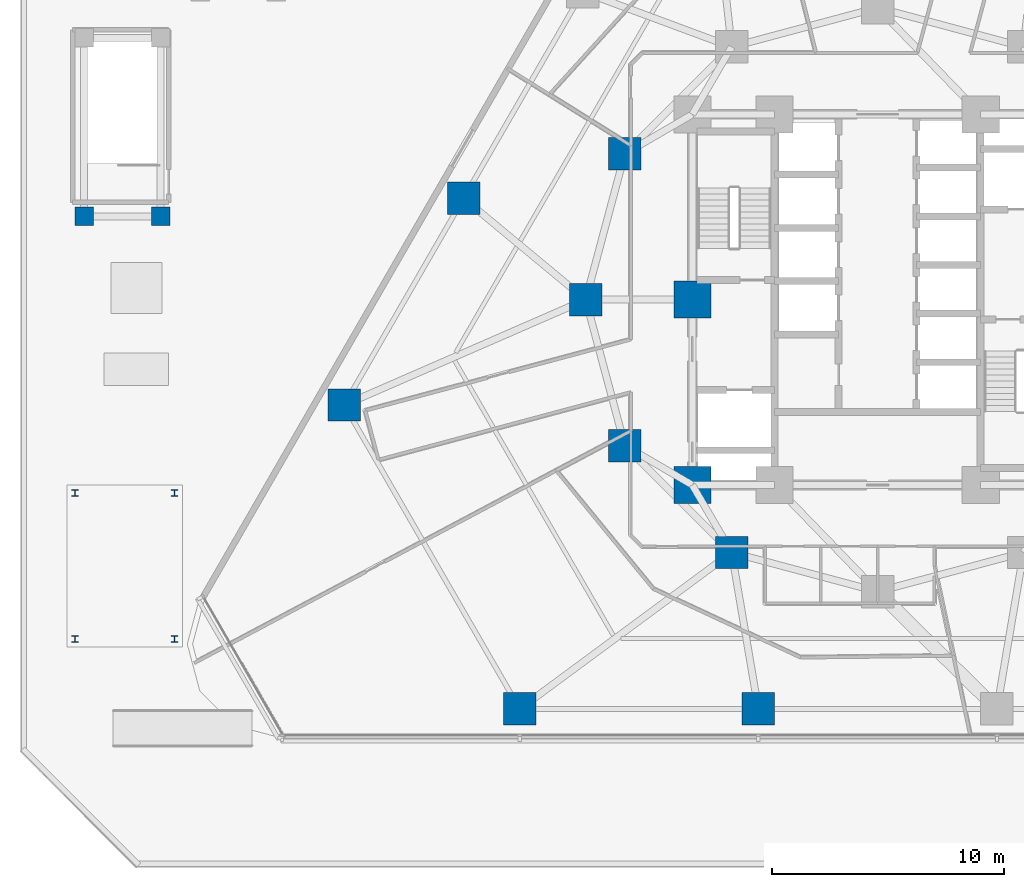
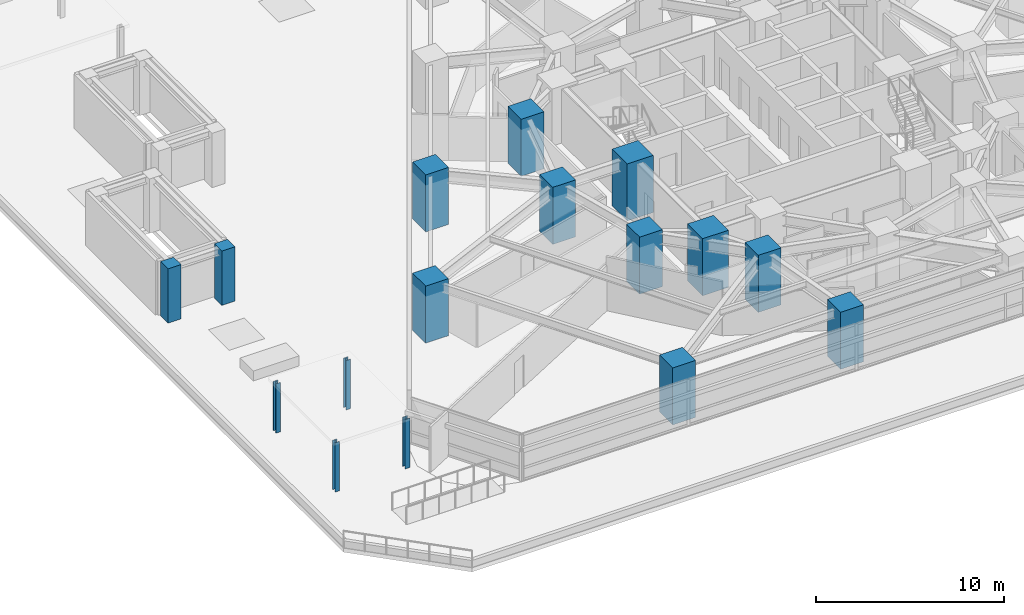
# One storey, part 1 of 23: 16 columns.
"""IFC4 building model written with IfcOpenShell, lengths in metres."""

from ifc_helpers import new_model, si_unit, direction, frame, origin, origin_2d, place, context, subcontext, project, spatial, rectangle, i_section, extrude, material, material_profile, profile_set, type_object, element, save


model = new_model("IFC4")

# Units and contexts
model_context = context("Model", 3, precision=1e-05, world=origin(), true_north=direction((0.0, 1.0)))
body_context = subcontext(model_context, "Body", "Model", "MODEL_VIEW")
ifc_project = project(units=[si_unit("LENGTHUNIT", "METRE"), si_unit("AREAUNIT", "SQUARE_METRE"), si_unit("VOLUMEUNIT", "CUBIC_METRE"), si_unit("PLANEANGLEUNIT", "RADIAN"), si_unit("MASSUNIT", "GRAM", prefix="KILO")], contexts=[model_context])

# Site, building, storey
site_placement = place(None, origin())
site = spatial("IfcSite", under=ifc_project, at=site_placement, CompositionType="ELEMENT")
building_placement = place(site_placement, origin())
building = spatial("IfcBuilding", under=site, at=building_placement, Name="Terralouvre Media Tower", CompositionType="ELEMENT")
storey_placement = place(building_placement, frame((0.0, 0.0, 26.0)))
storey = spatial("IfcBuildingStorey", under=building, at=storey_placement, Name="L05", CompositionType="ELEMENT", Elevation=26.0)

# Columns
ifc_material_1 = material(Name="Structural steel S355J2", Category="steel")
ifc_material_profile_1 = material_profile(ifc_material_1, i_section(OverallWidth=0.280029296875, OverallDepth=0.280029296875, WebThickness=0.010498046875, FlangeThickness=0.01806640625, at=origin_2d()), Name="HEB 280")
ifc_profile_set_1 = profile_set([ifc_material_profile_1], Name="Structural steel S355J2")
column_type_1 = type_object("IfcColumnType", Name="Basement Aisle Pilaster PL-HEB280 (HEB 280)", PredefinedType="PILASTER", material=ifc_profile_set_1)
for number, where, z_axis, x_axis, name in (
    (1, (-34.64990234375, -14.64990234375, 0.0), (0.0, 0.0, 1.0), (1.0, 0.0, 0.0), "West Garden Terracotta Pergola Roof Support Post 1"),
    (2, (-30.35009765625, -14.64990234375, 0.0), (0.0, 0.0, 1.0), (1.0, 0.0, 0.0), "West Garden Terracotta Pergola Roof Support Post 2"),
    (3, (-30.35009765625, -8.35009765625, 0.0), (0.0, 0.0, 1.0), (1.0, 0.0, 0.0), "West Garden Terracotta Pergola Roof Support Post 3"),
    (4, (-34.64990234375, -8.35009765625, 0.0), (0.0, 0.0, 1.0), (1.0, 0.0, 0.0), "West Garden Terracotta Pergola Roof Support Post 4"),
):
    element("IfcColumn", number, at=place(storey_placement, frame(where, z_axis=z_axis, x_axis=x_axis)), inside=storey, type_object=column_type_1, Name=name, PredefinedType="PILASTER", context=body_context, shape_type="SweptSolid", body=[
        extrude(i_section(OverallWidth=0.280029296875, OverallDepth=0.280029296875, WebThickness=0.010498046875, FlangeThickness=0.01806640625, at=origin_2d()), origin(), (0.0, 0.0, 1.0), 3.199951171875),
    ])
ifc_material_2 = material(Name="Concrete C60/75", Category="concrete")
ifc_material_profile_2 = material_profile(ifc_material_2, rectangle(XDim=1.39990234375, YDim=1.39990234375, at=origin_2d()), Name="RC 1400x1400")
ifc_profile_set_2 = profile_set([ifc_material_profile_2], Name="Concrete C60/75")
column_type_2 = type_object("IfcColumnType", Name="Structural Column C-RC1400 (RC 1400x1400)", PredefinedType="COLUMN", material=ifc_profile_set_2)
for number, where, z_axis, x_axis, name in (
    (5, (-10.911865234375, 6.300048828125, 0.0), (0.0, 0.0, 1.0), (1.0, 0.0, 0.0), "L05 Mega-Frame Column MC06"),
    (6, (-12.60009765625, 0.0, 0.0), (0.0, 0.0, 1.0), (1.0, 0.0, 0.0), "L05 Mega-Frame Column MC07"),
    (7, (-10.911865234375, -6.300048828125, 0.0), (0.0, 0.0, 1.0), (1.0, 0.0, 0.0), "L05 Mega-Frame Column MC08"),
    (8, (-6.300048828125, -10.911865234375, 0.0), (0.0, 0.0, 1.0), (1.0, 0.0, 0.0), "L05 Mega-Frame Column MC09"),
    (9, (-15.449951171875, -17.666748046875, 0.0), (0.0, 0.0, 1.0), (1.0, 0.0, 0.0), "L05 Perimeter Mega-Column PC11"),
    (10, (-5.14990234375, -17.666748046875, 0.0), (0.0, 0.0, 1.0), (1.0, 0.0, 0.0), "L05 Perimeter Mega-Column PC12"),
    (11, (-17.874755859375, 4.373291015625, 0.0), (0.0, 0.0, 1.0), (1.0, 0.0, 0.0), "L05 Perimeter Mega-Column PC33"),
    (12, (-23.02490234375, -4.546630859375, 0.0), (0.0, 0.0, 1.0), (1.0, 0.0, 0.0), "L05 Perimeter Mega-Column PC34"),
):
    element("IfcColumn", number, at=place(storey_placement, frame(where, z_axis=z_axis, x_axis=x_axis)), inside=storey, type_object=column_type_2, Name=name, PredefinedType="COLUMN", context=body_context, shape_type="SweptSolid", body=[
        extrude(rectangle(XDim=1.39990234375, YDim=1.39990234375, at=origin_2d()), origin(), (0.0, 0.0, 1.0), 3.699951171875),
    ])
ifc_material_3 = material(Name="Concrete C60/75", Category="concrete")
ifc_material_profile_3 = material_profile(ifc_material_3, rectangle(XDim=1.60009765625, YDim=1.60009765625, at=origin_2d()), Name="RC 1600x1600")
ifc_profile_set_3 = profile_set([ifc_material_profile_3], Name="Concrete C60/75")
column_type_3 = type_object("IfcColumnType", Name="Structural Column C-RC1600 (RC 1600x1600)", PredefinedType="COLUMN", material=ifc_profile_set_3)
for number, where, z_axis, x_axis, name in (
    (13, (-8.0, -8.0, 0.0), (0.0, 0.0, 1.0), (1.0, 0.0, 0.0), "L05 Core Pilaster Column CP1"),
    (14, (-8.0, 0.0, 0.0), (0.0, 0.0, 1.0), (1.0, 0.0, 0.0), "L05 Core Pilaster Column CP8"),
):
    element("IfcColumn", number, at=place(storey_placement, frame(where, z_axis=z_axis, x_axis=x_axis)), inside=storey, type_object=column_type_3, Name=name, PredefinedType="COLUMN", context=body_context, shape_type="SweptSolid", body=[
        extrude(rectangle(XDim=1.60009765625, YDim=1.60009765625, at=origin_2d()), origin(), (0.0, 0.0, 1.0), 3.699951171875),
    ])
ifc_material_4 = material(Name="Concrete C50/60", Category="concrete")
ifc_material_profile_4 = material_profile(ifc_material_4, rectangle(XDim=0.800048828125, YDim=0.800048828125, at=origin_2d()), Name="RC 800x800")
ifc_profile_set_4 = profile_set([ifc_material_profile_4], Name="Concrete C50/60")
column_type_4 = type_object("IfcColumnType", Name="Structural Column C-RC800 (RC 800x800)", PredefinedType="COLUMN", material=ifc_profile_set_4)
for number, where, z_axis, x_axis, name in (
    (15, (-34.25, 3.60009765625, 0.0), (0.0, 0.0, 1.0), (1.0, 0.0, 0.0), "L05 Stair Pavilion Support Column ST3C1"),
    (16, (-30.949951171875, 3.60009765625, 0.0), (0.0, 0.0, 1.0), (1.0, 0.0, 0.0), "L05 Stair Pavilion Support Column ST3C2"),
):
    element("IfcColumn", number, at=place(storey_placement, frame(where, z_axis=z_axis, x_axis=x_axis)), inside=storey, type_object=column_type_4, Name=name, PredefinedType="COLUMN", context=body_context, shape_type="SweptSolid", body=[
        extrude(rectangle(XDim=0.800048828125, YDim=0.800048828125, at=origin_2d()), origin(), (0.0, 0.0, 1.0), 3.52001953125),
    ])

save(model, "model.ifc")
